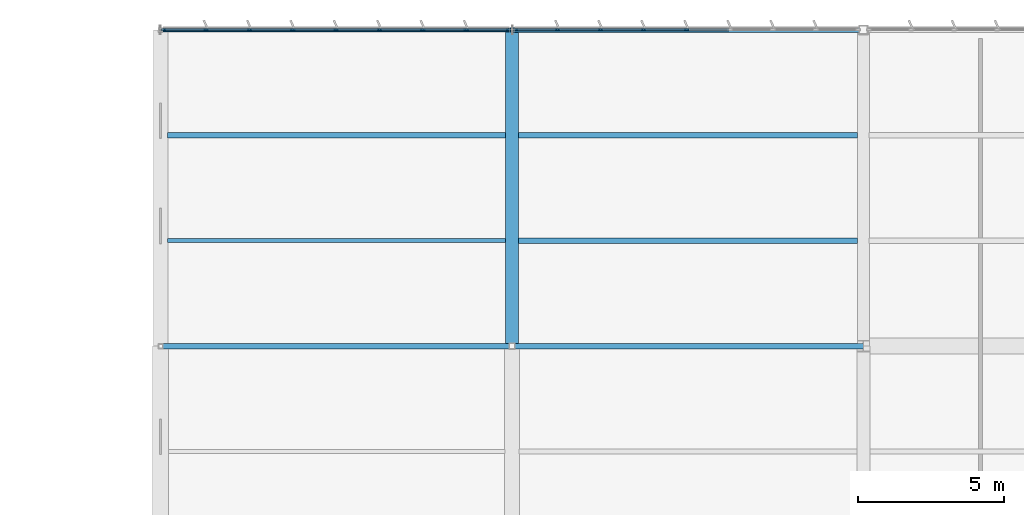
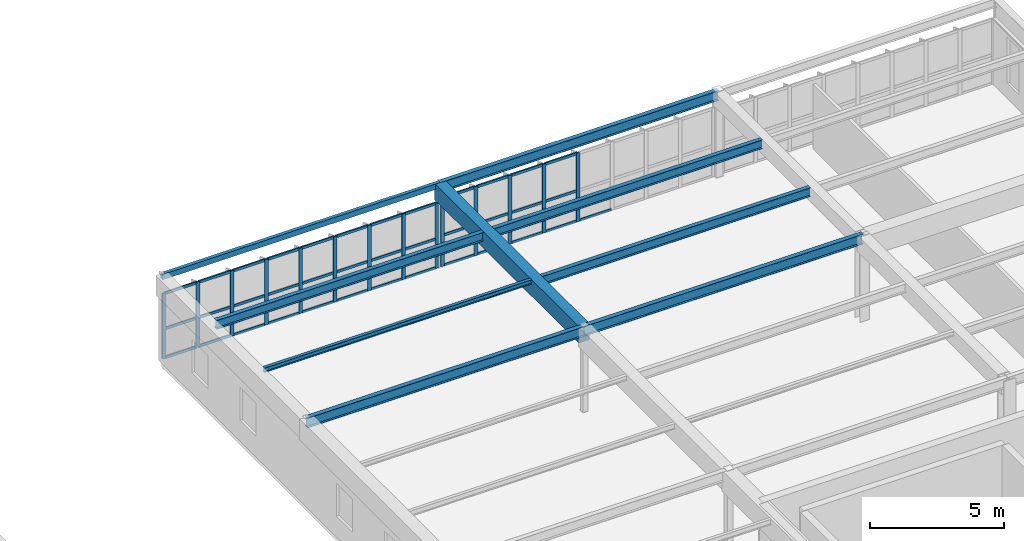
# One storey, part 65 of 128: 51 members, 9 beams, 2 elements without a shape of their own.
"""IFC4 building model written with IfcOpenShell, lengths in metres."""

from ifc_helpers import new_model, si_unit, direction, frame, origin, origin_2d, place, context, subcontext, project, spatial, rectangle, hollow_rectangle, i_section, extrude, material, layer, layer_set, material_profile, profile_set, type_object, element, aggregate, save


model = new_model("IFC4")

# Units and contexts
model_context = context("Model", 3, precision=1e-05, world=origin(), true_north=direction((0.0, 1.0)))
body_context = subcontext(model_context, "Body", "Model", "MODEL_VIEW")
ifc_project = project(units=[si_unit("LENGTHUNIT", "METRE"), si_unit("AREAUNIT", "SQUARE_METRE"), si_unit("VOLUMEUNIT", "CUBIC_METRE"), si_unit("PLANEANGLEUNIT", "RADIAN"), si_unit("MASSUNIT", "GRAM", prefix="KILO")], contexts=[model_context])

# Site, building, storey
site_placement = place(None, origin())
site = spatial("IfcSite", under=ifc_project, at=site_placement, CompositionType="ELEMENT")
building_placement = place(site_placement, origin())
building = spatial("IfcBuilding", under=site, at=building_placement, Name="Tarnwether General Hospital", CompositionType="ELEMENT")
storey_placement = place(building_placement, frame((0.0, 0.0, 14.39990234375)))
storey = spatial("IfcBuildingStorey", under=building, at=storey_placement, Name="L03", CompositionType="ELEMENT", Elevation=14.39990234375)

# Beams
ifc_material_1 = material(Name="Steel Grade 350 (350 MPa)", Category="steel")
ifc_material_profile_1 = material_profile(ifc_material_1, i_section(OverallWidth=0.18994140625, OverallDepth=0.45703125, WebThickness=0.009033203125, FlangeThickness=0.014404296875, at=origin_2d()), Name="460UB74.6")
ifc_profile_set_1 = profile_set([ifc_material_profile_1], Name="Steel Grade 350 (350 MPa)")
beam_type_1 = type_object("IfcBeamType", Name="BM-G09", PredefinedType="BEAM", material=ifc_profile_set_1)
beam_1_placement = place(storey_placement, frame((144.0, 115.199951171875, 3.671630859375), z_axis=(1.0, 0.0, 0.0), x_axis=(0.0, 1.0, 0.0)))
element("IfcBeam", 1, at=beam_1_placement, inside=storey, type_object=beam_type_1, Name="Primary Girder BMG-L03-14400_11520-15600_11520-1769", PredefinedType="BEAM", context=body_context, shape_type="SweptSolid", body=[
    extrude(i_section(OverallWidth=0.18994140625, OverallDepth=0.45703125, WebThickness=0.009033203125, FlangeThickness=0.014404296875, at=origin_2d()), origin(), (0.0, 0.0, 1.0), 12.0),
])
ifc_material_2 = material(Name="Steel Grade 350 (350 MPa)", Category="steel")
ifc_material_profile_2 = material_profile(ifc_material_2, i_section(OverallWidth=0.18994140625, OverallDepth=0.4541015625, WebThickness=0.008544921875, FlangeThickness=0.0126953125, at=origin_2d()), Name="460UB67.1")
ifc_profile_set_2 = profile_set([ifc_material_profile_2], Name="Steel Grade 350 (350 MPa)")
beam_type_2 = type_object("IfcBeamType", Name="BM-G10", PredefinedType="BEAM", material=ifc_profile_set_2)
beam_2_placement = place(storey_placement, frame((156.0, 115.199951171875, 3.673095703125), z_axis=(1.0, 0.0, 0.0), x_axis=(0.0, 1.0, 0.0)))
element("IfcBeam", 2, at=beam_2_placement, inside=storey, type_object=beam_type_2, Name="Primary Girder BMG-L03-15600_11520-16800_11520-1787", PredefinedType="BEAM", context=body_context, shape_type="SweptSolid", body=[
    extrude(i_section(OverallWidth=0.18994140625, OverallDepth=0.4541015625, WebThickness=0.008544921875, FlangeThickness=0.0126953125, at=origin_2d()), origin(), (0.0, 0.0, 1.0), 12.0),
])
ifc_material_3 = material(Name="Concrete 40 MPa", Category="concrete")
ifc_material_profile_3 = material_profile(ifc_material_3, rectangle(XDim=0.449951171875, YDim=0.75, at=origin_2d()), Name="RC-BM-450x750")
ifc_profile_set_3 = profile_set([ifc_material_profile_3], Name="Concrete 40 MPa")
beam_type_3 = type_object("IfcBeamType", Name="BM-G13", PredefinedType="BEAM", material=ifc_profile_set_3)
beam_3_placement = place(storey_placement, frame((156.0, 115.199951171875, 3.525146484375), z_axis=(0.0, 1.0, 0.0), x_axis=(-1.0, 0.0, 0.0)))
element("IfcBeam", 3, at=beam_3_placement, inside=storey, type_object=beam_type_3, Name="Primary Girder BMG-L03-15600_11520-15600_12600-1788", PredefinedType="BEAM", context=body_context, shape_type="SweptSolid", body=[
    extrude(rectangle(XDim=0.449951171875, YDim=0.75, at=origin_2d()), origin(), (0.0, 0.0, 1.0), 10.800048828125),
])
ifc_material_4 = material(Name="Steel Grade 350 (350 MPa)", Category="steel")
ifc_material_profile_4 = material_profile(ifc_material_4, i_section(OverallWidth=0.177978515625, OverallDepth=0.406005859375, WebThickness=0.0078125, FlangeThickness=0.0126953125, at=origin_2d()), Name="410UB59.7")
ifc_profile_set_4 = profile_set([ifc_material_profile_4], Name="Steel Grade 350 (350 MPa)")
beam_type_4 = type_object("IfcBeamType", Name="BM-J01", PredefinedType="JOIST", material=ifc_profile_set_4)
beam_4_placement = place(storey_placement, frame((144.243896484375, 122.39990234375, 3.697021484375), z_axis=(1.0, 0.0, 0.0), x_axis=(0.0, 1.0, 0.0)))
element("IfcBeam", 4, at=beam_4_placement, inside=storey, type_object=beam_type_4, Name="Composite Floor Joist BMG-L03-14424_12240-15578_12240-1829", PredefinedType="JOIST", context=body_context, shape_type="SweptSolid", body=[
    extrude(i_section(OverallWidth=0.177978515625, OverallDepth=0.406005859375, WebThickness=0.0078125, FlangeThickness=0.0126953125, at=origin_2d()), origin(), (0.0, 0.0, 1.0), 11.537109375),
])
beam_5_placement = place(storey_placement, frame((156.218994140625, 118.800048828125, 3.697021484375), z_axis=(1.0, 0.0, 0.0), x_axis=(0.0, 1.0, 0.0)))
element("IfcBeam", 5, at=beam_5_placement, inside=storey, type_object=beam_type_4, Name="Composite Floor Joist BMG-L03-15622_11880-16781_11880-1840", PredefinedType="JOIST", context=body_context, shape_type="SweptSolid", body=[
    extrude(i_section(OverallWidth=0.177978515625, OverallDepth=0.406005859375, WebThickness=0.0078125, FlangeThickness=0.0126953125, at=origin_2d()), origin(), (0.0, 0.0, 1.0), 11.5869140625),
])
ifc_material_5 = material(Name="Steel Grade 350 (350 MPa)", Category="steel")
ifc_material_profile_5 = material_profile(ifc_material_5, i_section(OverallWidth=0.177978515625, OverallDepth=0.403076171875, WebThickness=0.007568359375, FlangeThickness=0.010986328125, at=origin_2d()), Name="410UB53.7")
ifc_profile_set_5 = profile_set([ifc_material_profile_5], Name="Steel Grade 350 (350 MPa)")
beam_type_5 = type_object("IfcBeamType", Name="BM-J02", PredefinedType="JOIST", material=ifc_profile_set_5)
beam_6_placement = place(storey_placement, frame((156.218994140625, 122.39990234375, 3.698486328125), z_axis=(1.0, 0.0, 0.0), x_axis=(0.0, 1.0, 0.0)))
element("IfcBeam", 6, at=beam_6_placement, inside=storey, type_object=beam_type_5, Name="Composite Floor Joist BMG-L03-15622_12240-16781_12240-1841", PredefinedType="JOIST", context=body_context, shape_type="SweptSolid", body=[
    extrude(i_section(OverallWidth=0.177978515625, OverallDepth=0.403076171875, WebThickness=0.007568359375, FlangeThickness=0.010986328125, at=origin_2d()), origin(), (0.0, 0.0, 1.0), 11.5869140625),
])
ifc_material_6 = material(Name="Steel Grade 350 (350 MPa)", Category="steel")
ifc_material_profile_6 = material_profile(ifc_material_6, i_section(OverallWidth=0.134033203125, OverallDepth=0.20703125, WebThickness=0.00634765625, FlangeThickness=0.009521484375, at=origin_2d()), Name="200UB29.8")
ifc_profile_set_6 = profile_set([ifc_material_profile_6], Name="Steel Grade 350 (350 MPa)")
beam_type_6 = type_object("IfcBeamType", Name="BM-J12", PredefinedType="JOIST", material=ifc_profile_set_6)
beam_7_placement = place(storey_placement, frame((144.243896484375, 118.800048828125, 3.796630859375), z_axis=(1.0, 0.0, 0.0), x_axis=(0.0, 1.0, 0.0)))
element("IfcBeam", 7, at=beam_7_placement, inside=storey, type_object=beam_type_6, Name="Composite Floor Joist BMG-L03-14424_11880-15578_11880-1828", PredefinedType="JOIST", context=body_context, shape_type="SweptSolid", body=[
    extrude(i_section(OverallWidth=0.134033203125, OverallDepth=0.20703125, WebThickness=0.00634765625, FlangeThickness=0.009521484375, at=origin_2d()), origin(), (0.0, 0.0, 1.0), 11.537109375),
])
ifc_material_7 = material(Name="Steel Grade 350 (350 MPa)", Category="steel")
ifc_material_profile_7 = material_profile(ifc_material_7, i_section(OverallWidth=0.18994140625, OverallDepth=0.4541015625, WebThickness=0.008544921875, FlangeThickness=0.0126953125, at=origin_2d()), Name="460UB67.1")
ifc_profile_set_7 = profile_set([ifc_material_profile_7], Name="Steel Grade 350 (350 MPa)")
beam_type_7 = type_object("IfcBeamType", Name="BM-SP1", PredefinedType="SPANDREL", material=ifc_profile_set_7)
beam_8_placement = place(storey_placement, frame((156.0, 126.0, 3.673095703125), z_axis=(1.0, 0.0, 0.0), x_axis=(0.0, 1.0, 0.0)))
element("IfcBeam", 8, at=beam_8_placement, inside=storey, type_object=beam_type_7, Name="Primary Girder BMG-L03-15600_12600-16800_12600-1789", PredefinedType="SPANDREL", context=body_context, shape_type="SweptSolid", body=[
    extrude(i_section(OverallWidth=0.18994140625, OverallDepth=0.4541015625, WebThickness=0.008544921875, FlangeThickness=0.0126953125, at=origin_2d()), origin(), (0.0, 0.0, 1.0), 12.0),
])
ifc_material_8 = material(Name="Steel Grade C350L0 (350 MPa)", Category="steel")
ifc_material_profile_8 = material_profile(ifc_material_8, hollow_rectangle(XDim=0.14990234375, YDim=0.25, WallThickness=0.008056640625, at=origin_2d()), Name="RHS250x150x8")
ifc_profile_set_8 = profile_set([ifc_material_profile_8], Name="Steel Grade C350L0 (350 MPa)")
beam_type_8 = type_object("IfcBeamType", Name="BM-SP8", PredefinedType="SPANDREL", material=ifc_profile_set_8)
beam_9_placement = place(storey_placement, frame((144.0, 126.0, 3.775146484375), z_axis=(1.0, 0.0, 0.0), x_axis=(0.0, 1.0, 0.0)))
element("IfcBeam", 9, at=beam_9_placement, inside=storey, type_object=beam_type_8, Name="Primary Girder BMG-L03-14400_12600-15600_12600-1771", PredefinedType="SPANDREL", context=body_context, shape_type="SweptSolid", body=[
    extrude(hollow_rectangle(XDim=0.14990234375, YDim=0.25, WallThickness=0.008056640625, at=origin_2d()), origin(), (0.0, 0.0, 1.0), 12.0),
])

# Curtain wall, members
ifc_material_9 = material(Name="Anodised aluminium", Category="aluminium")
ifc_layer = layer(ifc_material_9, 0.159912109375)
ifc_layer_set = layer_set([ifc_layer], Name="Anodised aluminium")
curtain_wall_type = type_object("IfcCurtainWallType", Name="CW-16", PredefinedType="NOTDEFINED", material=ifc_layer_set)
curtain_wall_1_placement = place(storey_placement, origin())
curtain_wall_1 = element("IfcCurtainWall", 10, at=curtain_wall_1_placement, inside=storey, type_object=curtain_wall_type, Name="Curtain Wall CWG-L03-1441_1260-0482", PredefinedType="NOTDEFINED")
ifc_material_10 = material(Name="Anodised aluminium", Category="aluminium")
ifc_material_profile_9 = material_profile(ifc_material_10, rectangle(XDim=0.06005859375, YDim=0.159912109375, at=origin_2d()), Name="ALU-MUL-60x160")
ifc_profile_set_9 = profile_set([ifc_material_profile_9], Name="Anodised aluminium")
member_type_1 = type_object("IfcMemberType", Name="CW-ML1", PredefinedType="MULLION", material=ifc_profile_set_9)
member_1_placement = place(storey_placement, frame((144.10107421875, 126.0, 0.0), z_axis=(0.0, 0.0, 1.0), x_axis=(0.0, 1.0, 0.0)))
member_1 = element("IfcMember", 11, at=member_1_placement, type_object=member_type_1, Name="CW-16 mullion 1", PredefinedType="MULLION", context=body_context, shape_type="SweptSolid", body=[
    extrude(rectangle(XDim=0.06005859375, YDim=0.159912109375, at=origin_2d()), origin(), (0.0, 0.0, 1.0), 2.985107421875),
])
member_2_placement = place(storey_placement, frame((145.551513671875, 126.0, 0.0), z_axis=(0.0, 0.0, 1.0), x_axis=(0.0, 1.0, 0.0)))
member_2 = element("IfcMember", 12, at=member_2_placement, type_object=member_type_1, Name="CW-16 mullion 2", PredefinedType="MULLION", context=body_context, shape_type="SweptSolid", body=[
    extrude(rectangle(XDim=0.06005859375, YDim=0.159912109375, at=origin_2d()), origin(), (0.0, 0.0, 1.0), 2.985107421875),
])
member_3_placement = place(storey_placement, frame((147.0322265625, 126.0, 0.0), z_axis=(0.0, 0.0, 1.0), x_axis=(0.0, 1.0, 0.0)))
member_3 = element("IfcMember", 13, at=member_3_placement, type_object=member_type_1, Name="CW-16 mullion 3", PredefinedType="MULLION", context=body_context, shape_type="SweptSolid", body=[
    extrude(rectangle(XDim=0.06005859375, YDim=0.159912109375, at=origin_2d()), origin(), (0.0, 0.0, 1.0), 2.985107421875),
])
member_4_placement = place(storey_placement, frame((148.512939453125, 126.0, 0.0), z_axis=(0.0, 0.0, 1.0), x_axis=(0.0, 1.0, 0.0)))
member_4 = element("IfcMember", 14, at=member_4_placement, type_object=member_type_1, Name="CW-16 mullion 4", PredefinedType="MULLION", context=body_context, shape_type="SweptSolid", body=[
    extrude(rectangle(XDim=0.06005859375, YDim=0.159912109375, at=origin_2d()), origin(), (0.0, 0.0, 1.0), 2.985107421875),
])
member_5_placement = place(storey_placement, frame((149.993408203125, 126.0, 0.0), z_axis=(0.0, 0.0, 1.0), x_axis=(0.0, 1.0, 0.0)))
member_5 = element("IfcMember", 15, at=member_5_placement, type_object=member_type_1, Name="CW-16 mullion 5", PredefinedType="MULLION", context=body_context, shape_type="SweptSolid", body=[
    extrude(rectangle(XDim=0.06005859375, YDim=0.159912109375, at=origin_2d()), origin(), (0.0, 0.0, 1.0), 2.985107421875),
])
member_6_placement = place(storey_placement, frame((151.47412109375, 126.0, 0.0), z_axis=(0.0, 0.0, 1.0), x_axis=(0.0, 1.0, 0.0)))
member_6 = element("IfcMember", 16, at=member_6_placement, type_object=member_type_1, Name="CW-16 mullion 6", PredefinedType="MULLION", context=body_context, shape_type="SweptSolid", body=[
    extrude(rectangle(XDim=0.06005859375, YDim=0.159912109375, at=origin_2d()), origin(), (0.0, 0.0, 1.0), 2.985107421875),
])
member_7_placement = place(storey_placement, frame((152.954833984375, 126.0, 0.0), z_axis=(0.0, 0.0, 1.0), x_axis=(0.0, 1.0, 0.0)))
member_7 = element("IfcMember", 17, at=member_7_placement, type_object=member_type_1, Name="CW-16 mullion 7", PredefinedType="MULLION", context=body_context, shape_type="SweptSolid", body=[
    extrude(rectangle(XDim=0.06005859375, YDim=0.159912109375, at=origin_2d()), origin(), (0.0, 0.0, 1.0), 2.985107421875),
])
member_8_placement = place(storey_placement, frame((154.435302734375, 126.0, 0.0), z_axis=(0.0, 0.0, 1.0), x_axis=(0.0, 1.0, 0.0)))
member_8 = element("IfcMember", 18, at=member_8_placement, type_object=member_type_1, Name="CW-16 mullion 8", PredefinedType="MULLION", context=body_context, shape_type="SweptSolid", body=[
    extrude(rectangle(XDim=0.06005859375, YDim=0.159912109375, at=origin_2d()), origin(), (0.0, 0.0, 1.0), 2.985107421875),
])
member_9_placement = place(storey_placement, frame((155.885986328125, 126.0, 0.0), z_axis=(0.0, 0.0, 1.0), x_axis=(0.0, 1.0, 0.0)))
member_9 = element("IfcMember", 19, at=member_9_placement, type_object=member_type_1, Name="CW-16 mullion 9", PredefinedType="MULLION", context=body_context, shape_type="SweptSolid", body=[
    extrude(rectangle(XDim=0.06005859375, YDim=0.159912109375, at=origin_2d()), origin(), (0.0, 0.0, 1.0), 2.985107421875),
])

curtain_wall_2_placement = place(storey_placement, origin())
curtain_wall_2 = element("IfcCurtainWall", 20, at=curtain_wall_2_placement, inside=storey, type_object=curtain_wall_type, Name="Curtain Wall CWG-L03-1561_1260-0483", PredefinedType="NOTDEFINED")
member_10_placement = place(storey_placement, frame((156.114013671875, 126.0, 0.0), z_axis=(0.0, 0.0, 1.0), x_axis=(0.0, 1.0, 0.0)))
member_10 = element("IfcMember", 21, at=member_10_placement, type_object=member_type_1, Name="CW-16 mullion 1", PredefinedType="MULLION", context=body_context, shape_type="SweptSolid", body=[
    extrude(rectangle(XDim=0.06005859375, YDim=0.159912109375, at=origin_2d()), origin(), (0.0, 0.0, 1.0), 3.135009765625),
])
member_11_placement = place(storey_placement, frame((157.5537109375, 126.0, 0.0), z_axis=(0.0, 0.0, 1.0), x_axis=(0.0, 1.0, 0.0)))
member_11 = element("IfcMember", 22, at=member_11_placement, type_object=member_type_1, Name="CW-16 mullion 2", PredefinedType="MULLION", context=body_context, shape_type="SweptSolid", body=[
    extrude(rectangle(XDim=0.06005859375, YDim=0.159912109375, at=origin_2d()), origin(), (0.0, 0.0, 1.0), 3.135009765625),
])
member_12_placement = place(storey_placement, frame((159.0234375, 126.0, 0.0), z_axis=(0.0, 0.0, 1.0), x_axis=(0.0, 1.0, 0.0)))
member_12 = element("IfcMember", 23, at=member_12_placement, type_object=member_type_1, Name="CW-16 mullion 3", PredefinedType="MULLION", context=body_context, shape_type="SweptSolid", body=[
    extrude(rectangle(XDim=0.06005859375, YDim=0.159912109375, at=origin_2d()), origin(), (0.0, 0.0, 1.0), 3.135009765625),
])
member_13_placement = place(storey_placement, frame((160.4931640625, 126.0, 0.0), z_axis=(0.0, 0.0, 1.0), x_axis=(0.0, 1.0, 0.0)))
member_13 = element("IfcMember", 24, at=member_13_placement, type_object=member_type_1, Name="CW-16 mullion 4", PredefinedType="MULLION", context=body_context, shape_type="SweptSolid", body=[
    extrude(rectangle(XDim=0.06005859375, YDim=0.159912109375, at=origin_2d()), origin(), (0.0, 0.0, 1.0), 3.135009765625),
])
member_14_placement = place(storey_placement, frame((161.962890625, 126.0, 0.0), z_axis=(0.0, 0.0, 1.0), x_axis=(0.0, 1.0, 0.0)))
member_14 = element("IfcMember", 25, at=member_14_placement, type_object=member_type_1, Name="CW-16 mullion 5", PredefinedType="MULLION", context=body_context, shape_type="SweptSolid", body=[
    extrude(rectangle(XDim=0.06005859375, YDim=0.159912109375, at=origin_2d()), origin(), (0.0, 0.0, 1.0), 3.135009765625),
])

# Member
ifc_material_11 = material(Name="Anodised aluminium", Category="aluminium")
ifc_material_profile_10 = material_profile(ifc_material_11, rectangle(XDim=0.06005859375, YDim=0.1201171875, at=origin_2d()), Name="ALU-TRN-60x120")
ifc_profile_set_10 = profile_set([ifc_material_profile_10], Name="Anodised aluminium")
member_type_2 = type_object("IfcMemberType", Name="CW-TR1", PredefinedType="USERDEFINED", material=ifc_profile_set_10)
member_15_placement = place(storey_placement, frame((144.131103515625, 126.0, 0.030029296875), z_axis=(1.0, 0.0, 0.0), x_axis=(0.0, 1.0, 0.0)))
member_15 = element("IfcMember", 26, at=member_15_placement, type_object=member_type_2, Name="CW-16 transom 1.1", ObjectType="TRANSOM", PredefinedType="USERDEFINED", context=body_context, shape_type="SweptSolid", body=[
    extrude(rectangle(XDim=0.06005859375, YDim=0.1201171875, at=origin_2d()), origin(), (0.0, 0.0, 1.0), 1.390625),
])

member_16_placement = place(storey_placement, frame((144.131103515625, 126.0, 1.343505859375), z_axis=(1.0, 0.0, 0.0), x_axis=(0.0, 1.0, 0.0)))
member_16 = element("IfcMember", 27, at=member_16_placement, type_object=member_type_2, Name="CW-16 transom 1.2", ObjectType="TRANSOM", PredefinedType="USERDEFINED", context=body_context, shape_type="SweptSolid", body=[
    extrude(rectangle(XDim=0.06005859375, YDim=0.1201171875, at=origin_2d()), origin(), (0.0, 0.0, 1.0), 1.390625),
])

member_17_placement = place(storey_placement, frame((144.131103515625, 126.0, 2.955078125), z_axis=(1.0, 0.0, 0.0), x_axis=(0.0, 1.0, 0.0)))
member_17 = element("IfcMember", 28, at=member_17_placement, type_object=member_type_2, Name="CW-16 transom 1.3", ObjectType="TRANSOM", PredefinedType="USERDEFINED", context=body_context, shape_type="SweptSolid", body=[
    extrude(rectangle(XDim=0.06005859375, YDim=0.1201171875, at=origin_2d()), origin(), (0.0, 0.0, 1.0), 1.390625),
])

member_18_placement = place(storey_placement, frame((145.58154296875, 126.0, 0.030029296875), z_axis=(1.0, 0.0, 0.0), x_axis=(0.0, 1.0, 0.0)))
member_18 = element("IfcMember", 29, at=member_18_placement, type_object=member_type_2, Name="CW-16 transom 2.1", ObjectType="TRANSOM", PredefinedType="USERDEFINED", context=body_context, shape_type="SweptSolid", body=[
    extrude(rectangle(XDim=0.06005859375, YDim=0.1201171875, at=origin_2d()), origin(), (0.0, 0.0, 1.0), 1.420654296875),
])

member_19_placement = place(storey_placement, frame((145.58154296875, 126.0, 1.343505859375), z_axis=(1.0, 0.0, 0.0), x_axis=(0.0, 1.0, 0.0)))
member_19 = element("IfcMember", 30, at=member_19_placement, type_object=member_type_2, Name="CW-16 transom 2.2", ObjectType="TRANSOM", PredefinedType="USERDEFINED", context=body_context, shape_type="SweptSolid", body=[
    extrude(rectangle(XDim=0.06005859375, YDim=0.1201171875, at=origin_2d()), origin(), (0.0, 0.0, 1.0), 1.420654296875),
])

member_20_placement = place(storey_placement, frame((145.58154296875, 126.0, 2.955078125), z_axis=(1.0, 0.0, 0.0), x_axis=(0.0, 1.0, 0.0)))
member_20 = element("IfcMember", 31, at=member_20_placement, type_object=member_type_2, Name="CW-16 transom 2.3", ObjectType="TRANSOM", PredefinedType="USERDEFINED", context=body_context, shape_type="SweptSolid", body=[
    extrude(rectangle(XDim=0.06005859375, YDim=0.1201171875, at=origin_2d()), origin(), (0.0, 0.0, 1.0), 1.420654296875),
])

member_21_placement = place(storey_placement, frame((147.062255859375, 126.0, 0.030029296875), z_axis=(1.0, 0.0, 0.0), x_axis=(0.0, 1.0, 0.0)))
member_21 = element("IfcMember", 32, at=member_21_placement, type_object=member_type_2, Name="CW-16 transom 3.1", ObjectType="TRANSOM", PredefinedType="USERDEFINED", context=body_context, shape_type="SweptSolid", body=[
    extrude(rectangle(XDim=0.06005859375, YDim=0.1201171875, at=origin_2d()), origin(), (0.0, 0.0, 1.0), 1.420654296875),
])

member_22_placement = place(storey_placement, frame((147.062255859375, 126.0, 1.343505859375), z_axis=(1.0, 0.0, 0.0), x_axis=(0.0, 1.0, 0.0)))
member_22 = element("IfcMember", 33, at=member_22_placement, type_object=member_type_2, Name="CW-16 transom 3.2", ObjectType="TRANSOM", PredefinedType="USERDEFINED", context=body_context, shape_type="SweptSolid", body=[
    extrude(rectangle(XDim=0.06005859375, YDim=0.1201171875, at=origin_2d()), origin(), (0.0, 0.0, 1.0), 1.420654296875),
])

member_23_placement = place(storey_placement, frame((147.062255859375, 126.0, 2.955078125), z_axis=(1.0, 0.0, 0.0), x_axis=(0.0, 1.0, 0.0)))
member_23 = element("IfcMember", 34, at=member_23_placement, type_object=member_type_2, Name="CW-16 transom 3.3", ObjectType="TRANSOM", PredefinedType="USERDEFINED", context=body_context, shape_type="SweptSolid", body=[
    extrude(rectangle(XDim=0.06005859375, YDim=0.1201171875, at=origin_2d()), origin(), (0.0, 0.0, 1.0), 1.420654296875),
])

member_24_placement = place(storey_placement, frame((148.54296875, 126.0, 0.030029296875), z_axis=(1.0, 0.0, 0.0), x_axis=(0.0, 1.0, 0.0)))
member_24 = element("IfcMember", 35, at=member_24_placement, type_object=member_type_2, Name="CW-16 transom 4.1", ObjectType="TRANSOM", PredefinedType="USERDEFINED", context=body_context, shape_type="SweptSolid", body=[
    extrude(rectangle(XDim=0.06005859375, YDim=0.1201171875, at=origin_2d()), origin(), (0.0, 0.0, 1.0), 1.42041015625),
])

member_25_placement = place(storey_placement, frame((148.54296875, 126.0, 1.343505859375), z_axis=(1.0, 0.0, 0.0), x_axis=(0.0, 1.0, 0.0)))
member_25 = element("IfcMember", 36, at=member_25_placement, type_object=member_type_2, Name="CW-16 transom 4.2", ObjectType="TRANSOM", PredefinedType="USERDEFINED", context=body_context, shape_type="SweptSolid", body=[
    extrude(rectangle(XDim=0.06005859375, YDim=0.1201171875, at=origin_2d()), origin(), (0.0, 0.0, 1.0), 1.42041015625),
])

member_26_placement = place(storey_placement, frame((148.54296875, 126.0, 2.955078125), z_axis=(1.0, 0.0, 0.0), x_axis=(0.0, 1.0, 0.0)))
member_26 = element("IfcMember", 37, at=member_26_placement, type_object=member_type_2, Name="CW-16 transom 4.3", ObjectType="TRANSOM", PredefinedType="USERDEFINED", context=body_context, shape_type="SweptSolid", body=[
    extrude(rectangle(XDim=0.06005859375, YDim=0.1201171875, at=origin_2d()), origin(), (0.0, 0.0, 1.0), 1.42041015625),
])

member_27_placement = place(storey_placement, frame((150.0234375, 126.0, 0.030029296875), z_axis=(1.0, 0.0, 0.0), x_axis=(0.0, 1.0, 0.0)))
member_27 = element("IfcMember", 38, at=member_27_placement, type_object=member_type_2, Name="CW-16 transom 5.1", ObjectType="TRANSOM", PredefinedType="USERDEFINED", context=body_context, shape_type="SweptSolid", body=[
    extrude(rectangle(XDim=0.06005859375, YDim=0.1201171875, at=origin_2d()), origin(), (0.0, 0.0, 1.0), 1.420654296875),
])

member_28_placement = place(storey_placement, frame((150.0234375, 126.0, 1.343505859375), z_axis=(1.0, 0.0, 0.0), x_axis=(0.0, 1.0, 0.0)))
member_28 = element("IfcMember", 39, at=member_28_placement, type_object=member_type_2, Name="CW-16 transom 5.2", ObjectType="TRANSOM", PredefinedType="USERDEFINED", context=body_context, shape_type="SweptSolid", body=[
    extrude(rectangle(XDim=0.06005859375, YDim=0.1201171875, at=origin_2d()), origin(), (0.0, 0.0, 1.0), 1.420654296875),
])

member_29_placement = place(storey_placement, frame((150.0234375, 126.0, 2.955078125), z_axis=(1.0, 0.0, 0.0), x_axis=(0.0, 1.0, 0.0)))
member_29 = element("IfcMember", 40, at=member_29_placement, type_object=member_type_2, Name="CW-16 transom 5.3", ObjectType="TRANSOM", PredefinedType="USERDEFINED", context=body_context, shape_type="SweptSolid", body=[
    extrude(rectangle(XDim=0.06005859375, YDim=0.1201171875, at=origin_2d()), origin(), (0.0, 0.0, 1.0), 1.420654296875),
])

member_30_placement = place(storey_placement, frame((151.504150390625, 126.0, 0.030029296875), z_axis=(1.0, 0.0, 0.0), x_axis=(0.0, 1.0, 0.0)))
member_30 = element("IfcMember", 41, at=member_30_placement, type_object=member_type_2, Name="CW-16 transom 6.1", ObjectType="TRANSOM", PredefinedType="USERDEFINED", context=body_context, shape_type="SweptSolid", body=[
    extrude(rectangle(XDim=0.06005859375, YDim=0.1201171875, at=origin_2d()), origin(), (0.0, 0.0, 1.0), 1.420654296875),
])

member_31_placement = place(storey_placement, frame((151.504150390625, 126.0, 1.343505859375), z_axis=(1.0, 0.0, 0.0), x_axis=(0.0, 1.0, 0.0)))
member_31 = element("IfcMember", 42, at=member_31_placement, type_object=member_type_2, Name="CW-16 transom 6.2", ObjectType="TRANSOM", PredefinedType="USERDEFINED", context=body_context, shape_type="SweptSolid", body=[
    extrude(rectangle(XDim=0.06005859375, YDim=0.1201171875, at=origin_2d()), origin(), (0.0, 0.0, 1.0), 1.420654296875),
])

member_32_placement = place(storey_placement, frame((151.504150390625, 126.0, 2.955078125), z_axis=(1.0, 0.0, 0.0), x_axis=(0.0, 1.0, 0.0)))
member_32 = element("IfcMember", 43, at=member_32_placement, type_object=member_type_2, Name="CW-16 transom 6.3", ObjectType="TRANSOM", PredefinedType="USERDEFINED", context=body_context, shape_type="SweptSolid", body=[
    extrude(rectangle(XDim=0.06005859375, YDim=0.1201171875, at=origin_2d()), origin(), (0.0, 0.0, 1.0), 1.420654296875),
])

member_33_placement = place(storey_placement, frame((152.98486328125, 126.0, 0.030029296875), z_axis=(1.0, 0.0, 0.0), x_axis=(0.0, 1.0, 0.0)))
member_33 = element("IfcMember", 44, at=member_33_placement, type_object=member_type_2, Name="CW-16 transom 7.1", ObjectType="TRANSOM", PredefinedType="USERDEFINED", context=body_context, shape_type="SweptSolid", body=[
    extrude(rectangle(XDim=0.06005859375, YDim=0.1201171875, at=origin_2d()), origin(), (0.0, 0.0, 1.0), 1.42041015625),
])

member_34_placement = place(storey_placement, frame((152.98486328125, 126.0, 1.343505859375), z_axis=(1.0, 0.0, 0.0), x_axis=(0.0, 1.0, 0.0)))
member_34 = element("IfcMember", 45, at=member_34_placement, type_object=member_type_2, Name="CW-16 transom 7.2", ObjectType="TRANSOM", PredefinedType="USERDEFINED", context=body_context, shape_type="SweptSolid", body=[
    extrude(rectangle(XDim=0.06005859375, YDim=0.1201171875, at=origin_2d()), origin(), (0.0, 0.0, 1.0), 1.42041015625),
])

member_35_placement = place(storey_placement, frame((152.98486328125, 126.0, 2.955078125), z_axis=(1.0, 0.0, 0.0), x_axis=(0.0, 1.0, 0.0)))
member_35 = element("IfcMember", 46, at=member_35_placement, type_object=member_type_2, Name="CW-16 transom 7.3", ObjectType="TRANSOM", PredefinedType="USERDEFINED", context=body_context, shape_type="SweptSolid", body=[
    extrude(rectangle(XDim=0.06005859375, YDim=0.1201171875, at=origin_2d()), origin(), (0.0, 0.0, 1.0), 1.42041015625),
])

member_36_placement = place(storey_placement, frame((154.46533203125, 126.0, 0.030029296875), z_axis=(1.0, 0.0, 0.0), x_axis=(0.0, 1.0, 0.0)))
member_36 = element("IfcMember", 47, at=member_36_placement, type_object=member_type_2, Name="CW-16 transom 8.1", ObjectType="TRANSOM", PredefinedType="USERDEFINED", context=body_context, shape_type="SweptSolid", body=[
    extrude(rectangle(XDim=0.06005859375, YDim=0.1201171875, at=origin_2d()), origin(), (0.0, 0.0, 1.0), 1.390625),
])

member_37_placement = place(storey_placement, frame((154.46533203125, 126.0, 1.343505859375), z_axis=(1.0, 0.0, 0.0), x_axis=(0.0, 1.0, 0.0)))
member_37 = element("IfcMember", 48, at=member_37_placement, type_object=member_type_2, Name="CW-16 transom 8.2", ObjectType="TRANSOM", PredefinedType="USERDEFINED", context=body_context, shape_type="SweptSolid", body=[
    extrude(rectangle(XDim=0.06005859375, YDim=0.1201171875, at=origin_2d()), origin(), (0.0, 0.0, 1.0), 1.390625),
])

member_38_placement = place(storey_placement, frame((154.46533203125, 126.0, 2.955078125), z_axis=(1.0, 0.0, 0.0), x_axis=(0.0, 1.0, 0.0)))
member_38 = element("IfcMember", 49, at=member_38_placement, type_object=member_type_2, Name="CW-16 transom 8.3", ObjectType="TRANSOM", PredefinedType="USERDEFINED", context=body_context, shape_type="SweptSolid", body=[
    extrude(rectangle(XDim=0.06005859375, YDim=0.1201171875, at=origin_2d()), origin(), (0.0, 0.0, 1.0), 1.390625),
])

aggregate(curtain_wall_1, [member_1, member_2, member_3, member_4, member_5, member_6, member_7, member_8, member_9, member_15, member_16, member_17, member_18, member_19, member_20, member_21, member_22, member_23, member_24, member_25, member_26, member_27, member_28, member_29, member_30, member_31, member_32, member_33, member_34, member_35, member_36, member_37, member_38])

member_39_placement = place(storey_placement, frame((156.14404296875, 126.0, 0.030029296875), z_axis=(1.0, 0.0, 0.0), x_axis=(0.0, 1.0, 0.0)))
member_39 = element("IfcMember", 50, at=member_39_placement, type_object=member_type_2, Name="CW-16 transom 1.1", ObjectType="TRANSOM", PredefinedType="USERDEFINED", context=body_context, shape_type="SweptSolid", body=[
    extrude(rectangle(XDim=0.06005859375, YDim=0.1201171875, at=origin_2d()), origin(), (0.0, 0.0, 1.0), 1.379638671875),
])

member_40_placement = place(storey_placement, frame((156.14404296875, 126.0, 1.410888671875), z_axis=(1.0, 0.0, 0.0), x_axis=(0.0, 1.0, 0.0)))
member_40 = element("IfcMember", 51, at=member_40_placement, type_object=member_type_2, Name="CW-16 transom 1.2", ObjectType="TRANSOM", PredefinedType="USERDEFINED", context=body_context, shape_type="SweptSolid", body=[
    extrude(rectangle(XDim=0.06005859375, YDim=0.1201171875, at=origin_2d()), origin(), (0.0, 0.0, 1.0), 1.379638671875),
])

member_41_placement = place(storey_placement, frame((156.14404296875, 126.0, 3.10498046875), z_axis=(1.0, 0.0, 0.0), x_axis=(0.0, 1.0, 0.0)))
member_41 = element("IfcMember", 52, at=member_41_placement, type_object=member_type_2, Name="CW-16 transom 1.3", ObjectType="TRANSOM", PredefinedType="USERDEFINED", context=body_context, shape_type="SweptSolid", body=[
    extrude(rectangle(XDim=0.06005859375, YDim=0.1201171875, at=origin_2d()), origin(), (0.0, 0.0, 1.0), 1.379638671875),
])

member_42_placement = place(storey_placement, frame((157.583740234375, 126.0, 0.030029296875), z_axis=(1.0, 0.0, 0.0), x_axis=(0.0, 1.0, 0.0)))
member_42 = element("IfcMember", 53, at=member_42_placement, type_object=member_type_2, Name="CW-16 transom 2.1", ObjectType="TRANSOM", PredefinedType="USERDEFINED", context=body_context, shape_type="SweptSolid", body=[
    extrude(rectangle(XDim=0.06005859375, YDim=0.1201171875, at=origin_2d()), origin(), (0.0, 0.0, 1.0), 1.40966796875),
])

member_43_placement = place(storey_placement, frame((157.583740234375, 126.0, 1.410888671875), z_axis=(1.0, 0.0, 0.0), x_axis=(0.0, 1.0, 0.0)))
member_43 = element("IfcMember", 54, at=member_43_placement, type_object=member_type_2, Name="CW-16 transom 2.2", ObjectType="TRANSOM", PredefinedType="USERDEFINED", context=body_context, shape_type="SweptSolid", body=[
    extrude(rectangle(XDim=0.06005859375, YDim=0.1201171875, at=origin_2d()), origin(), (0.0, 0.0, 1.0), 1.40966796875),
])

member_44_placement = place(storey_placement, frame((157.583740234375, 126.0, 3.10498046875), z_axis=(1.0, 0.0, 0.0), x_axis=(0.0, 1.0, 0.0)))
member_44 = element("IfcMember", 55, at=member_44_placement, type_object=member_type_2, Name="CW-16 transom 2.3", ObjectType="TRANSOM", PredefinedType="USERDEFINED", context=body_context, shape_type="SweptSolid", body=[
    extrude(rectangle(XDim=0.06005859375, YDim=0.1201171875, at=origin_2d()), origin(), (0.0, 0.0, 1.0), 1.40966796875),
])

member_45_placement = place(storey_placement, frame((159.053466796875, 126.0, 0.030029296875), z_axis=(1.0, 0.0, 0.0), x_axis=(0.0, 1.0, 0.0)))
member_45 = element("IfcMember", 56, at=member_45_placement, type_object=member_type_2, Name="CW-16 transom 3.1", ObjectType="TRANSOM", PredefinedType="USERDEFINED", context=body_context, shape_type="SweptSolid", body=[
    extrude(rectangle(XDim=0.06005859375, YDim=0.1201171875, at=origin_2d()), origin(), (0.0, 0.0, 1.0), 1.40966796875),
])

member_46_placement = place(storey_placement, frame((159.053466796875, 126.0, 1.410888671875), z_axis=(1.0, 0.0, 0.0), x_axis=(0.0, 1.0, 0.0)))
member_46 = element("IfcMember", 57, at=member_46_placement, type_object=member_type_2, Name="CW-16 transom 3.2", ObjectType="TRANSOM", PredefinedType="USERDEFINED", context=body_context, shape_type="SweptSolid", body=[
    extrude(rectangle(XDim=0.06005859375, YDim=0.1201171875, at=origin_2d()), origin(), (0.0, 0.0, 1.0), 1.40966796875),
])

member_47_placement = place(storey_placement, frame((159.053466796875, 126.0, 3.10498046875), z_axis=(1.0, 0.0, 0.0), x_axis=(0.0, 1.0, 0.0)))
member_47 = element("IfcMember", 58, at=member_47_placement, type_object=member_type_2, Name="CW-16 transom 3.3", ObjectType="TRANSOM", PredefinedType="USERDEFINED", context=body_context, shape_type="SweptSolid", body=[
    extrude(rectangle(XDim=0.06005859375, YDim=0.1201171875, at=origin_2d()), origin(), (0.0, 0.0, 1.0), 1.40966796875),
])

member_48_placement = place(storey_placement, frame((160.523193359375, 126.0, 0.030029296875), z_axis=(1.0, 0.0, 0.0), x_axis=(0.0, 1.0, 0.0)))
member_48 = element("IfcMember", 59, at=member_48_placement, type_object=member_type_2, Name="CW-16 transom 4.1", ObjectType="TRANSOM", PredefinedType="USERDEFINED", context=body_context, shape_type="SweptSolid", body=[
    extrude(rectangle(XDim=0.06005859375, YDim=0.1201171875, at=origin_2d()), origin(), (0.0, 0.0, 1.0), 1.409912109375),
])

member_49_placement = place(storey_placement, frame((160.523193359375, 126.0, 1.410888671875), z_axis=(1.0, 0.0, 0.0), x_axis=(0.0, 1.0, 0.0)))
member_49 = element("IfcMember", 60, at=member_49_placement, type_object=member_type_2, Name="CW-16 transom 4.2", ObjectType="TRANSOM", PredefinedType="USERDEFINED", context=body_context, shape_type="SweptSolid", body=[
    extrude(rectangle(XDim=0.06005859375, YDim=0.1201171875, at=origin_2d()), origin(), (0.0, 0.0, 1.0), 1.409912109375),
])

member_50_placement = place(storey_placement, frame((160.523193359375, 126.0, 3.10498046875), z_axis=(1.0, 0.0, 0.0), x_axis=(0.0, 1.0, 0.0)))
member_50 = element("IfcMember", 61, at=member_50_placement, type_object=member_type_2, Name="CW-16 transom 4.3", ObjectType="TRANSOM", PredefinedType="USERDEFINED", context=body_context, shape_type="SweptSolid", body=[
    extrude(rectangle(XDim=0.06005859375, YDim=0.1201171875, at=origin_2d()), origin(), (0.0, 0.0, 1.0), 1.409912109375),
])

member_51_placement = place(storey_placement, frame((161.992919921875, 126.0, 0.030029296875), z_axis=(1.0, 0.0, 0.0), x_axis=(0.0, 1.0, 0.0)))
member_51 = element("IfcMember", 62, at=member_51_placement, type_object=member_type_2, Name="CW-16 transom 5.1", ObjectType="TRANSOM", PredefinedType="USERDEFINED", context=body_context, shape_type="SweptSolid", body=[
    extrude(rectangle(XDim=0.06005859375, YDim=0.1201171875, at=origin_2d()), origin(), (0.0, 0.0, 1.0), 1.409912109375),
])

aggregate(curtain_wall_2, [member_10, member_11, member_12, member_13, member_14, member_39, member_40, member_41, member_42, member_43, member_44, member_45, member_46, member_47, member_48, member_49, member_50, member_51])

save(model, "model.ifc")
